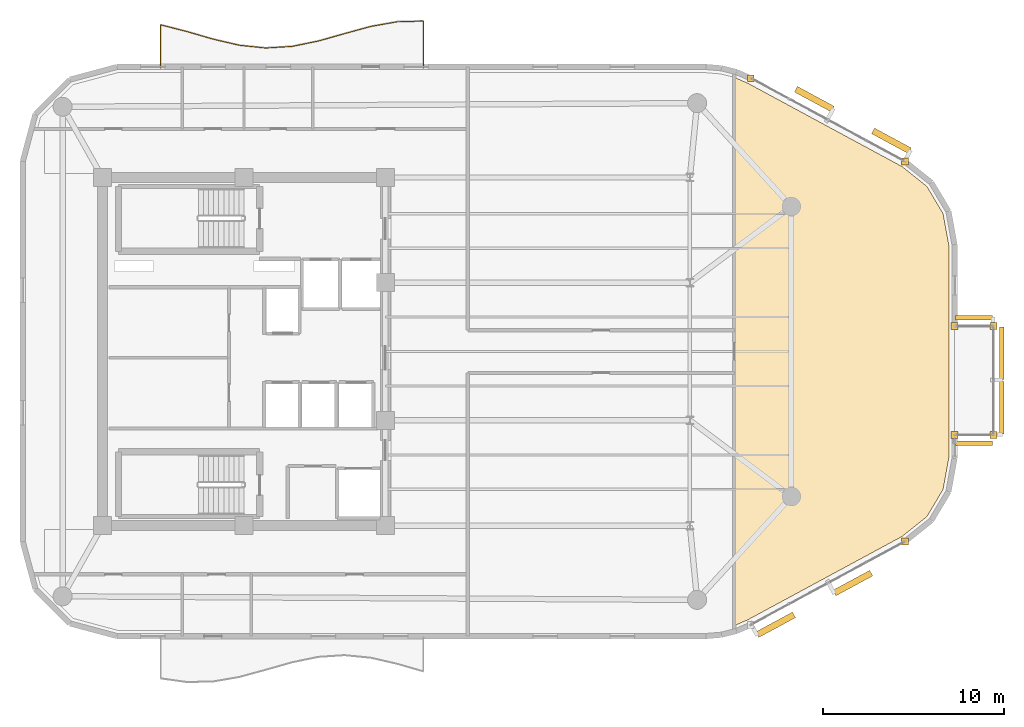
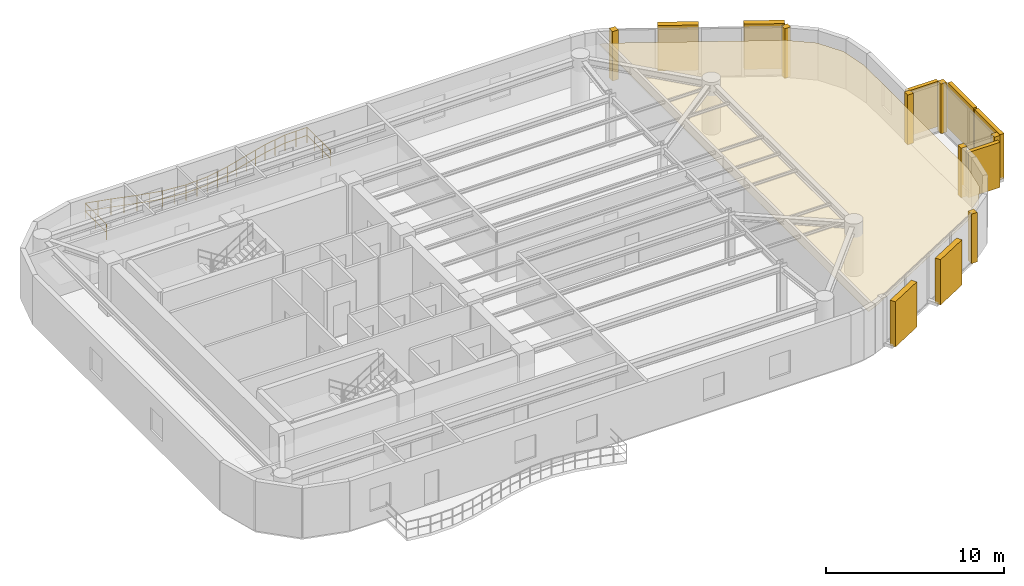
# One storey, part 14 of 14: 8 coverings, 8 shading devices, 1 railing.
"""IFC4 building model written with IfcOpenShell, lengths in metres."""

from ifc_helpers import new_model, si_unit, direction, frame, origin, origin_2d, place, context, subcontext, project, spatial, polyline, rectangle, circle, outline, extrude, material, layer, layer_set, type_object, element, save


model = new_model("IFC4")

# Units and contexts
model_context = context("Model", 3, precision=1e-05, world=origin(), true_north=direction((0.0, 1.0)))
body_context = subcontext(model_context, "Body", "Model", "MODEL_VIEW")
ifc_project = project(units=[si_unit("LENGTHUNIT", "METRE"), si_unit("AREAUNIT", "SQUARE_METRE"), si_unit("VOLUMEUNIT", "CUBIC_METRE"), si_unit("PLANEANGLEUNIT", "RADIAN"), si_unit("MASSUNIT", "GRAM", prefix="KILO")], contexts=[model_context])

# Site, building, storey
site_placement = place(None, origin())
site = spatial("IfcSite", under=ifc_project, at=site_placement, CompositionType="ELEMENT")
building_placement = place(site_placement, origin())
building = spatial("IfcBuilding", under=site, at=building_placement, Name="An Khanh Terracotta Commons", CompositionType="ELEMENT")
storey_placement = place(building_placement, frame((0.0, 0.0, 240.89990234375)))
storey = spatial("IfcBuildingStorey", under=building, at=storey_placement, Name="L63", CompositionType="ELEMENT", Elevation=240.89990234375)

# Coverings
ifc_material_1 = material(Name="Perforated Mineral-Fibre Acoustic Tile")
ifc_layer_1 = layer(ifc_material_1, 0.02001953125, Name="Perforated Mineral-Fibre Acoustic Tile")
ifc_layer_set_1 = layer_set([ifc_layer_1], Name="Perforated Mineral-Fibre Acoustic Tile")
covering_type_1 = type_object("IfcCoveringType", Name="CEIL-ACOUSTIC-18", PredefinedType="CEILING", material=ifc_layer_set_1)
covering_placement = place(storey_placement, frame((0.0, 0.0, 2.650146484375)))
element("IfcCovering", 1, at=covering_placement, inside=storey, type_object=covering_type_1, Name="L63 Riverfront Reference Library Ceiling", PredefinedType="CEILING", context=body_context, shape_type="SweptSolid", body=[
    extrude(outline(polyline([(56.467041015625, 39.114990234375), (57.217041015625, 38.787109375), (65.695068359375, 34.2060546875), (67.074951171875, 33.10205078125), (67.964111328125, 31.610107421875), (68.280029296875, 29.8701171875), (68.280029296875, 18.1298828125), (67.964111328125, 16.389892578125), (67.074951171875, 14.89794921875), (65.695068359375, 13.7939453125), (57.217041015625, 9.212890625), (56.467041015625, 8.885009765625), (56.449951171875, 8.8798828125), (56.449951171875, 22.820068359375), (56.449951171875, 25.179931640625), (56.449951171875, 39.1201171875), (56.467041015625, 39.114990234375)])), origin(), (0.0, 0.0, 1.0), 0.02001953125),
])
ifc_material_2 = material(Name="Fired Terracotta Rainscreen Cladding", Category="masonry")
ifc_layer_2 = layer(ifc_material_2, 0.080078125, Name="Fired Terracotta Rainscreen Cladding")
ifc_layer_set_2 = layer_set([ifc_layer_2], Name="Fired Terracotta Rainscreen Cladding")
covering_type_2 = type_object("IfcCoveringType", Name="COV-JAMB-TERRA", PredefinedType="CLADDING", material=ifc_layer_set_2)
for number, where, z_axis, x_axis, name in (
    (2, (65.8720703125, 13.52587890625, 0.000244140625), (0.0, 0.0, 1.0), (1.0, 0.0, 0.0), "L63 CW-03 Curtain-Wall Jamb Closure JB"),
    (3, (70.75, 19.39990234375, 0.000244140625), (0.0, 0.0, 1.0), (1.0, 0.0, 0.0), "L63 CW-04 Curtain-Wall Jamb Closure JA"),
    (4, (70.75, 25.39990234375, 0.000244140625), (0.0, 0.0, 1.0), (1.0, 0.0, 0.0), "L63 CW-04 Curtain-Wall Jamb Closure JB"),
    (5, (68.60009765625, 19.39990234375, 0.000244140625), (0.0, 0.0, 1.0), (1.0, 0.0, 0.0), "L63 CW-04 Curtain-Wall Jamb Closure JA"),
    (6, (68.60009765625, 25.39990234375, 0.000244140625), (0.0, 0.0, 1.0), (1.0, 0.0, 0.0), "L63 CW-04 Curtain-Wall Jamb Closure JB"),
    (7, (65.8720703125, 34.47412109375, 0.000244140625), (0.0, 0.0, 1.0), (1.0, 0.0, 0.0), "L63 CW-03 Curtain-Wall Jamb Closure JA"),
    (8, (57.35693359375, 39.074951171875, 0.000244140625), (0.0, 0.0, 1.0), (1.0, 0.0, 0.0), "L63 CW-03 Curtain-Wall Jamb Closure JB"),
):
    element("IfcCovering", number, at=place(storey_placement, frame(where, z_axis=z_axis, x_axis=x_axis)), inside=storey, type_object=covering_type_2, Name=name, PredefinedType="CLADDING", context=body_context, shape_type="SweptSolid", body=[
        extrude(rectangle(XDim=0.3798828125, YDim=0.3798828125, at=origin_2d()), origin(), (0.0, 0.0, 1.0), 3.39990234375),
    ])

# Railing
ifc_material_3 = material(Name="Brushed Stainless Steel 316", Category="steel")
railing_type = type_object("IfcRailingType", Name="RAIL-BALUSTRADE-1100", PredefinedType="BALUSTRADE", material=ifc_material_3)
railing_placement = place(storey_placement, frame((39.300048828125, 39.639892578125, 0.0)))
element("IfcRailing", 9, at=railing_placement, inside=storey, type_object=railing_type, Name="L63 N Wave Balcony Guard Balustrade", PredefinedType="BALUSTRADE", context=body_context, shape_type="SweptSolid", body=[
    extrude(circle(Radius=0.02392578125, at=origin_2d()), frame((0.0, 0.0, 1.076171875), z_axis=(0.0, 1.0, 0.0), x_axis=(-1.0, 0.0, 0.0)), (0.0, 0.0, 1.0), 2.586181640625),
    extrude(circle(Radius=0.02392578125, at=origin_2d()), frame((0.0, 0.0, 0.52587890625), z_axis=(0.0, 1.0, 0.0), x_axis=(-1.0, 0.0, 0.0)), (0.0, 0.0, 1.0), 2.586181640625),
    extrude(circle(Radius=0.02392578125, at=origin_2d()), frame((0.0, 2.586181640625, 1.076171875), z_axis=(-0.999655199499, -0.026257991433, 0.0), x_axis=(0.026257991433, -0.999655199499, 0.0)), (0.0, 0.0, 1.0), 1.450439453125),
    extrude(circle(Radius=0.02392578125, at=origin_2d()), frame((0.0, 2.586181640625, 0.52587890625), z_axis=(-0.999655199499, -0.026257991433, 0.0), x_axis=(0.026257991433, -0.999655199499, 0.0)), (0.0, 0.0, 1.0), 1.450439453125),
    extrude(circle(Radius=0.02392578125, at=origin_2d()), frame((-1.449951171875, 2.548095703125, 1.076171875), z_axis=(-0.984648089593, -0.174551252246, 0.0), x_axis=(0.174551252246, -0.984648089593, 0.0)), (0.0, 0.0, 1.0), 1.472900390625),
    extrude(circle(Radius=0.02392578125, at=origin_2d()), frame((-1.449951171875, 2.548095703125, 0.52587890625), z_axis=(-0.984648089593, -0.174551252246, 0.0), x_axis=(0.174551252246, -0.984648089593, 0.0)), (0.0, 0.0, 1.0), 1.472900390625),
    extrude(circle(Radius=0.02392578125, at=origin_2d()), frame((-2.900146484375, 2.291015625, 1.076171875), z_axis=(-0.964504761538, -0.264065455845, 0.0), x_axis=(0.264065455845, -0.964504761538, 0.0)), (0.0, 0.0, 1.0), 1.50341796875),
    extrude(circle(Radius=0.02392578125, at=origin_2d()), frame((-2.900146484375, 2.291015625, 0.52587890625), z_axis=(-0.964504761538, -0.264065455845, 0.0), x_axis=(0.264065455845, -0.964504761538, 0.0)), (0.0, 0.0, 1.0), 1.50341796875),
    extrude(circle(Radius=0.02392578125, at=origin_2d()), frame((-4.35009765625, 1.89404296875, 1.076171875), z_axis=(-0.962284509869, -0.272045073593, 0.0), x_axis=(0.272045073593, -0.962284509869, 0.0)), (0.0, 0.0, 1.0), 1.5068359375),
    extrude(circle(Radius=0.02392578125, at=origin_2d()), frame((-4.35009765625, 1.89404296875, 0.52587890625), z_axis=(-0.962284509869, -0.272045073593, 0.0), x_axis=(0.272045073593, -0.962284509869, 0.0)), (0.0, 0.0, 1.0), 1.5068359375),
    extrude(circle(Radius=0.02392578125, at=origin_2d()), frame((-5.800048828125, 1.484130859375, 1.076171875), z_axis=(-0.979934477389, -0.1993198937, 0.0), x_axis=(0.1993198937, -0.979934477389, 0.0)), (0.0, 0.0, 1.0), 1.479736328125),
    extrude(circle(Radius=0.02392578125, at=origin_2d()), frame((-5.800048828125, 1.484130859375, 0.52587890625), z_axis=(-0.979934477389, -0.1993198937, 0.0), x_axis=(0.1993198937, -0.979934477389, 0.0)), (0.0, 0.0, 1.0), 1.479736328125),
    extrude(circle(Radius=0.02392578125, at=origin_2d()), frame((-7.25, 1.189208984375, 1.076171875), z_axis=(-0.998198207446, -0.060002822034, 0.0), x_axis=(0.060002822034, -0.998198207446, 0.0)), (0.0, 0.0, 1.0), 1.45263671875),
    extrude(circle(Radius=0.02392578125, at=origin_2d()), frame((-7.25, 1.189208984375, 0.52587890625), z_axis=(-0.998198207446, -0.060002822034, 0.0), x_axis=(0.060002822034, -0.998198207446, 0.0)), (0.0, 0.0, 1.0), 1.45263671875),
    extrude(circle(Radius=0.02392578125, at=origin_2d()), frame((-8.699951171875, 1.10205078125, 1.076171875), z_axis=(-0.994682924868, 0.102984848282, 0.0), x_axis=(-0.102984848282, -0.994682924868, 0.0)), (0.0, 0.0, 1.0), 1.4580078125),
    extrude(circle(Radius=0.02392578125, at=origin_2d()), frame((-8.699951171875, 1.10205078125, 0.52587890625), z_axis=(-0.994682924868, 0.102984848282, 0.0), x_axis=(-0.102984848282, -0.994682924868, 0.0)), (0.0, 0.0, 1.0), 1.4580078125),
    extrude(circle(Radius=0.02392578125, at=origin_2d()), frame((-10.150146484375, 1.252197265625, 1.076171875), z_axis=(-0.973905278817, 0.226954858711, 0.0), x_axis=(-0.226954858711, -0.973905278817, 0.0)), (0.0, 0.0, 1.0), 1.48876953125),
    extrude(circle(Radius=0.02392578125, at=origin_2d()), frame((-10.150146484375, 1.252197265625, 0.52587890625), z_axis=(-0.973905278817, 0.226954858711, 0.0), x_axis=(-0.226954858711, -0.973905278817, 0.0)), (0.0, 0.0, 1.0), 1.48876953125),
    extrude(circle(Radius=0.02392578125, at=origin_2d()), frame((-11.60009765625, 1.590087890625, 1.076171875), z_axis=(-0.960356002851, 0.278776519434, 0.0), x_axis=(-0.278776519434, -0.960356002851, 0.0)), (0.0, 0.0, 1.0), 1.509765625),
    extrude(circle(Radius=0.02392578125, at=origin_2d()), frame((-11.60009765625, 1.590087890625, 0.52587890625), z_axis=(-0.960356002851, 0.278776519434, 0.0), x_axis=(-0.278776519434, -0.960356002851, 0.0)), (0.0, 0.0, 1.0), 1.509765625),
    extrude(circle(Radius=0.02392578125, at=origin_2d()), frame((-13.050048828125, 2.010986328125, 1.076171875), z_axis=(-0.969087243923, 0.246718288064, 0.0), x_axis=(-0.246718288064, -0.969087243923, 0.0)), (0.0, 0.0, 1.0), 1.49609375),
    extrude(circle(Radius=0.02392578125, at=origin_2d()), frame((-13.050048828125, 2.010986328125, 0.52587890625), z_axis=(-0.969087243923, 0.246718288064, 0.0), x_axis=(-0.246718288064, -0.969087243923, 0.0)), (0.0, 0.0, 1.0), 1.49609375),
    extrude(circle(Radius=0.02392578125, at=origin_2d()), frame((-14.5, 2.380126953125, 1.076171875), z_axis=(0.0, -1.0, 0.0), x_axis=(1.0, 0.0, 0.0)), (0.0, 0.0, 1.0), 2.380126953125),
    extrude(circle(Radius=0.02392578125, at=origin_2d()), frame((-14.5, 2.380126953125, 0.52587890625), z_axis=(0.0, -1.0, 0.0), x_axis=(1.0, 0.0, 0.0)), (0.0, 0.0, 1.0), 2.380126953125),
    extrude(circle(Radius=0.02099609375, at=origin_2d()), origin(), (0.0, 0.0, 1.0), 1.052001953125),
    extrude(circle(Radius=0.02099609375, at=origin_2d()), frame((0.0, 0.862060546875, 0.0)), (0.0, 0.0, 1.0), 1.052001953125),
    extrude(circle(Radius=0.02099609375, at=origin_2d()), frame((0.0, 1.72412109375, 0.0)), (0.0, 0.0, 1.0), 1.052001953125),
    extrude(circle(Radius=0.02099609375, at=origin_2d()), frame((0.0, 2.586181640625, 0.0)), (0.0, 0.0, 1.0), 1.052001953125),
    extrude(circle(Radius=0.02099609375, at=origin_2d()), frame((-0.72509765625, 2.567138671875, 0.0)), (0.0, 0.0, 1.0), 1.052001953125),
    extrude(circle(Radius=0.02099609375, at=origin_2d()), frame((-1.449951171875, 2.548095703125, 0.0)), (0.0, 0.0, 1.0), 1.052001953125),
    extrude(circle(Radius=0.02099609375, at=origin_2d()), frame((-2.175048828125, 2.41943359375, 0.0)), (0.0, 0.0, 1.0), 1.052001953125),
    extrude(circle(Radius=0.02099609375, at=origin_2d()), frame((-2.900146484375, 2.291015625, 0.0)), (0.0, 0.0, 1.0), 1.052001953125),
    extrude(circle(Radius=0.02099609375, at=origin_2d()), frame((-3.625, 2.092529296875, 0.0)), (0.0, 0.0, 1.0), 1.052001953125),
    extrude(circle(Radius=0.02099609375, at=origin_2d()), frame((-4.35009765625, 1.89404296875, 0.0)), (0.0, 0.0, 1.0), 1.052001953125),
    extrude(circle(Radius=0.02099609375, at=origin_2d()), frame((-5.0751953125, 1.68896484375, 0.0)), (0.0, 0.0, 1.0), 1.052001953125),
    extrude(circle(Radius=0.02099609375, at=origin_2d()), frame((-5.800048828125, 1.484130859375, 0.0)), (0.0, 0.0, 1.0), 1.052001953125),
    extrude(circle(Radius=0.02099609375, at=origin_2d()), frame((-6.52490234375, 1.336669921875, 0.0)), (0.0, 0.0, 1.0), 1.052001953125),
    extrude(circle(Radius=0.02099609375, at=origin_2d()), frame((-7.25, 1.189208984375, 0.0)), (0.0, 0.0, 1.0), 1.052001953125),
    extrude(circle(Radius=0.02099609375, at=origin_2d()), frame((-7.97509765625, 1.1455078125, 0.0)), (0.0, 0.0, 1.0), 1.052001953125),
    extrude(circle(Radius=0.02099609375, at=origin_2d()), frame((-8.699951171875, 1.10205078125, 0.0)), (0.0, 0.0, 1.0), 1.052001953125),
    extrude(circle(Radius=0.02099609375, at=origin_2d()), frame((-9.425048828125, 1.17724609375, 0.0)), (0.0, 0.0, 1.0), 1.052001953125),
    extrude(circle(Radius=0.02099609375, at=origin_2d()), frame((-10.150146484375, 1.252197265625, 0.0)), (0.0, 0.0, 1.0), 1.052001953125),
    extrude(circle(Radius=0.02099609375, at=origin_2d()), frame((-10.875, 1.421142578125, 0.0)), (0.0, 0.0, 1.0), 1.052001953125),
    extrude(circle(Radius=0.02099609375, at=origin_2d()), frame((-11.60009765625, 1.590087890625, 0.0)), (0.0, 0.0, 1.0), 1.052001953125),
    extrude(circle(Radius=0.02099609375, at=origin_2d()), frame((-12.3251953125, 1.800537109375, 0.0)), (0.0, 0.0, 1.0), 1.052001953125),
    extrude(circle(Radius=0.02099609375, at=origin_2d()), frame((-13.050048828125, 2.010986328125, 0.0)), (0.0, 0.0, 1.0), 1.052001953125),
    extrude(circle(Radius=0.02099609375, at=origin_2d()), frame((-13.77490234375, 2.195556640625, 0.0)), (0.0, 0.0, 1.0), 1.052001953125),
    extrude(circle(Radius=0.02099609375, at=origin_2d()), frame((-14.5, 2.380126953125, 0.0)), (0.0, 0.0, 1.0), 1.052001953125),
    extrude(circle(Radius=0.02099609375, at=origin_2d()), frame((-14.5, 1.18994140625, 0.0)), (0.0, 0.0, 1.0), 1.052001953125),
    extrude(circle(Radius=0.02099609375, at=origin_2d()), frame((-14.5, 0.0, 0.0)), (0.0, 0.0, 1.0), 1.052001953125),
])

# Shading devices
ifc_material_4 = material(Name="Warm Hardwood Timber-Finish Aluminium", Category="wood")
shading_device_type_1 = type_object("IfcShadingDeviceType", Name="Shifted Box Timber-Toned Louvre Screen", PredefinedType="USERDEFINED", material=ifc_material_4)
for number, where, z_axis, x_axis, name in (
    (10, (71.199951171875, 20.89990234375, 0.150146484375), (0.0, 0.0, 1.0), (0.0, 1.0, 0.0), "L63 Louvre Screen 1"),
    (11, (71.199951171875, 23.89990234375, 0.150146484375), (0.0, 0.0, 1.0), (0.0, 1.0, 0.0), "L63 Louvre Screen 2"),
):
    element("IfcShadingDevice", number, at=place(storey_placement, frame(where, z_axis=z_axis, x_axis=x_axis)), inside=storey, type_object=shading_device_type_1, Name=name, ObjectType="LOUVRE", PredefinedType="USERDEFINED", context=body_context, shape_type="SweptSolid", body=[
        extrude(rectangle(XDim=2.8798828125, YDim=0.25, at=origin_2d()), origin(), (0.0, 0.0, 1.0), 3.10009765625),
    ])
for number, where, z_axis, x_axis, name in (
    (12, (69.675048828125, 18.949951171875, 0.150146484375), (0.0, 0.0, 1.0), (1.0, 0.0, 0.0), "L63 Louvre Screen 1"),
    (13, (69.675048828125, 25.85009765625, 0.150146484375), (0.0, 0.0, 1.0), (-1.0, 0.0, 0.0), "L63 Louvre Screen 1"),
):
    element("IfcShadingDevice", number, at=place(storey_placement, frame(where, z_axis=z_axis, x_axis=x_axis)), inside=storey, type_object=shading_device_type_1, Name=name, ObjectType="LOUVRE", PredefinedType="USERDEFINED", context=body_context, shape_type="SweptSolid", body=[
        extrude(rectangle(XDim=2.030029296875, YDim=0.25, at=origin_2d()), origin(), (0.0, 0.0, 1.0), 3.10009765625),
    ])
ifc_material_5 = material(Name="Extruded Fired Terracotta", Category="masonry")
shading_device_type_2 = type_object("IfcShadingDeviceType", Name="Terracotta Baguette Screen Assembly", PredefinedType="USERDEFINED", material=ifc_material_5)
for number, where, z_axis, x_axis, name in (
    (14, (58.72998046875, 8.927978515625, 0.150146484375), (0.0, 0.0, 1.0), (0.879780095306, 0.47538088298, 0.0), "L63 Terracotta Baguette Screen 1"),
    (15, (62.988037109375, 11.22900390625, 0.150146484375), (0.0, 0.0, 1.0), (0.879780095306, 0.47538088298, 0.0), "L63 Terracotta Baguette Screen 3"),
    (16, (65.116943359375, 35.62109375, 0.150146484375), (0.0, 0.0, 1.0), (-0.879780095306, 0.47538088298, 0.0), "L63 Terracotta Baguette Screen 1"),
    (17, (60.85888671875, 37.9208984375, 0.150146484375), (0.0, 0.0, 1.0), (-0.879780095306, 0.47538088298, 0.0), "L63 Terracotta Baguette Screen 3"),
):
    element("IfcShadingDevice", number, at=place(storey_placement, frame(where, z_axis=z_axis, x_axis=x_axis)), inside=storey, type_object=shading_device_type_2, Name=name, ObjectType="BAGUETTE", PredefinedType="USERDEFINED", context=body_context, shape_type="SweptSolid", body=[
        extrude(rectangle(XDim=2.300048828125, YDim=0.35009765625, at=origin_2d()), origin(), (0.0, 0.0, 1.0), 3.10009765625),
    ])

save(model, "model.ifc")
